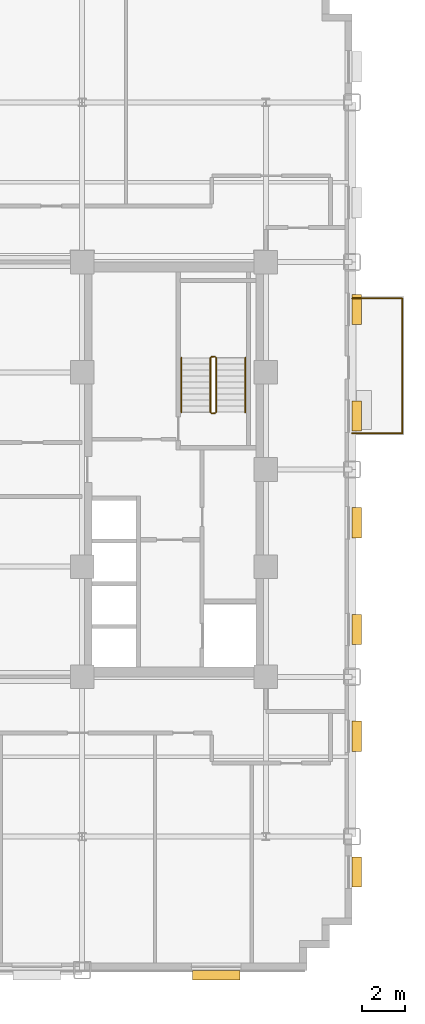
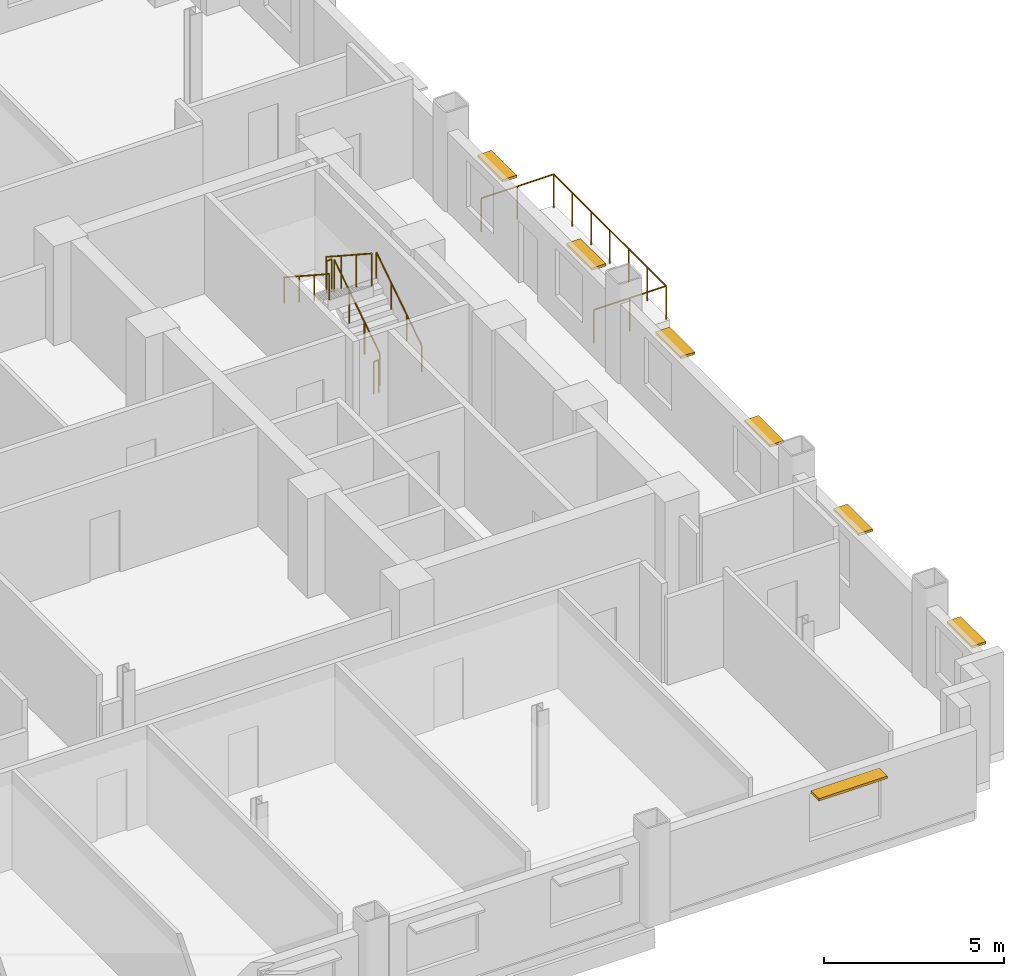
# One storey, part 13 of 14: 7 railings, 7 shading devices.
"""IFC4 building model written with IfcOpenShell, lengths in metres."""

from ifc_helpers import new_model, si_unit, direction, frame, origin, origin_2d, place, context, subcontext, project, spatial, rectangle, circle, extrude, source, transform, mapped, material, type_object, type_shapes, element, save


model = new_model("IFC4")

# Units and contexts
model_context = context("Model", 3, precision=1e-05, world=origin(), true_north=direction((0.0, 1.0)))
body_context = subcontext(model_context, "Body", "Model", "MODEL_VIEW")
ifc_project = project(units=[si_unit("LENGTHUNIT", "METRE"), si_unit("AREAUNIT", "SQUARE_METRE"), si_unit("VOLUMEUNIT", "CUBIC_METRE"), si_unit("PLANEANGLEUNIT", "RADIAN"), si_unit("MASSUNIT", "GRAM", prefix="KILO")], contexts=[model_context])

# Site, building, storey
site_placement = place(None, origin())
site = spatial("IfcSite", under=ifc_project, at=site_placement, CompositionType="ELEMENT")
building_placement = place(site_placement, origin())
building = spatial("IfcBuilding", under=site, at=building_placement, Name="Nuvemarco Arch Tower", CompositionType="ELEMENT")
storey_placement = place(building_placement, frame((0.0, 0.0, 71.39990234375)))
storey = spatial("IfcBuildingStorey", under=building, at=storey_placement, Name="L18", CompositionType="ELEMENT", Elevation=71.39990234375)

# Railings
ifc_material_1 = material(Name="Brushed stainless steel handrail", Category="steel")
railing_type_1 = type_object("IfcRailingType", Name="RL-HANDRAIL-900", PredefinedType="HANDRAIL", material=ifc_material_1)
railing_1_placement = place(storey_placement, frame((16.550048828125, 2.64990234375, 0.1826171875)))
element("IfcRailing", 1, at=railing_1_placement, inside=storey, type_object=railing_type_1, Name="L18 ST-2 stair handrail 1", PredefinedType="HANDRAIL", context=body_context, shape_type="SweptSolid", body=[
    extrude(circle(Radius=0.02392578125, at=origin_2d()), frame((0.0, 0.0, 0.8759765625), z_axis=(0.0, 0.837749427056, 0.546054848405), x_axis=(-1.0, 0.0, 0.0)), (0.0, 0.0, 1.0), 3.008056640625),
    extrude(circle(Radius=0.02099609375, at=origin_2d()), origin(), (0.0, 0.0, 1.0), 0.851806640625),
    extrude(circle(Radius=0.02099609375, at=origin_2d()), frame((0.0, 0.840087890625, 0.547607421875)), (0.0, 0.0, 1.0), 0.851806640625),
    extrude(circle(Radius=0.02099609375, at=origin_2d()), frame((0.0, 1.679931640625, 1.094970703125)), (0.0, 0.0, 1.0), 0.851806640625),
    extrude(circle(Radius=0.02099609375, at=origin_2d()), frame((0.0, 2.52001953125, 1.642578125)), (0.0, 0.0, 1.0), 0.851806640625),
])
railing_2_placement = place(storey_placement, frame((13.590087890625, 5.169921875, 2.007568359375)))
element("IfcRailing", 2, at=railing_2_placement, inside=storey, type_object=railing_type_1, Name="L18 ST-2 stair handrail 2", PredefinedType="HANDRAIL", context=body_context, shape_type="SweptSolid", body=[
    extrude(circle(Radius=0.02392578125, at=origin_2d()), frame((0.0, 0.0, 0.8759765625), z_axis=(0.0, -0.837749427056, 0.546054848405), x_axis=(1.0, 0.0, 0.0)), (0.0, 0.0, 1.0), 3.008056640625),
    extrude(circle(Radius=0.02099609375, at=origin_2d()), origin(), (0.0, 0.0, 1.0), 0.851806640625),
    extrude(circle(Radius=0.02099609375, at=origin_2d()), frame((0.0, -0.840087890625, 0.547607421875)), (0.0, 0.0, 1.0), 0.851806640625),
    extrude(circle(Radius=0.02099609375, at=origin_2d()), frame((0.0, -1.679931640625, 1.094970703125)), (0.0, 0.0, 1.0), 0.851806640625),
    extrude(circle(Radius=0.02099609375, at=origin_2d()), frame((0.0, -2.52001953125, 1.642578125)), (0.0, 0.0, 1.0), 0.851806640625),
])
ifc_material_2 = material(Name="Painted balustrade steel S355", Category="steel")
railing_type_2 = type_object("IfcRailingType", Name="RL-STAIR-GUARD", PredefinedType="GUARDRAIL", material=ifc_material_2)
railing_3_placement = place(storey_placement, frame((15.199951171875, 2.64990234375, 0.1826171875)))
element("IfcRailing", 3, at=railing_3_placement, inside=storey, type_object=railing_type_2, Name="L18 ST-2 stair guard 1", PredefinedType="GUARDRAIL", context=body_context, shape_type="SweptSolid", body=[
    extrude(circle(Radius=0.02392578125, at=origin_2d()), frame((0.0, 0.0, 1.09619140625), z_axis=(0.0, 0.837749427056, 0.546054848405), x_axis=(-1.0, 0.0, 0.0)), (0.0, 0.0, 1.0), 3.008056640625),
    extrude(circle(Radius=0.02099609375, at=origin_2d()), origin(), (0.0, 0.0, 1.0), 1.072021484375),
    extrude(circle(Radius=0.02099609375, at=origin_2d()), frame((0.0, 0.840087890625, 0.547607421875)), (0.0, 0.0, 1.0), 1.072021484375),
    extrude(circle(Radius=0.02099609375, at=origin_2d()), frame((0.0, 1.679931640625, 1.094970703125)), (0.0, 0.0, 1.0), 1.072021484375),
    extrude(circle(Radius=0.02099609375, at=origin_2d()), frame((0.0, 2.52001953125, 1.642578125)), (0.0, 0.0, 1.0), 1.072021484375),
])
railing_4_placement = place(storey_placement, frame((15.14990234375, 5.219970703125, 1.8251953125)))
element("IfcRailing", 4, at=railing_4_placement, inside=storey, type_object=railing_type_2, Name="L18 ST-2 stair guard 2", PredefinedType="GUARDRAIL", context=body_context, shape_type="SweptSolid", body=[
    extrude(circle(Radius=0.02392578125, at=origin_2d()), frame((0.0, 0.0, 1.09619140625), z_axis=(-1.0, 0.0, 0.0), x_axis=(0.0, -1.0, 0.0)), (0.0, 0.0, 1.0), 0.159912109375),
    extrude(circle(Radius=0.02099609375, at=origin_2d()), origin(), (0.0, 0.0, 1.0), 1.072021484375),
    extrude(circle(Radius=0.02099609375, at=origin_2d()), frame((-0.159912109375, 0.0, 0.0)), (0.0, 0.0, 1.0), 1.072021484375),
])
railing_5_placement = place(storey_placement, frame((14.93994140625, 5.169921875, 2.007568359375)))
element("IfcRailing", 5, at=railing_5_placement, inside=storey, type_object=railing_type_2, Name="L18 ST-2 stair guard 3", PredefinedType="GUARDRAIL", context=body_context, shape_type="SweptSolid", body=[
    extrude(circle(Radius=0.02392578125, at=origin_2d()), frame((0.0, 0.0, 1.09619140625), z_axis=(0.0, -0.837749427056, 0.546054848405), x_axis=(1.0, 0.0, 0.0)), (0.0, 0.0, 1.0), 3.008056640625),
    extrude(circle(Radius=0.02099609375, at=origin_2d()), origin(), (0.0, 0.0, 1.0), 1.072021484375),
    extrude(circle(Radius=0.02099609375, at=origin_2d()), frame((0.0, -0.840087890625, 0.547607421875)), (0.0, 0.0, 1.0), 1.072021484375),
    extrude(circle(Radius=0.02099609375, at=origin_2d()), frame((0.0, -1.679931640625, 1.094970703125)), (0.0, 0.0, 1.0), 1.072021484375),
    extrude(circle(Radius=0.02099609375, at=origin_2d()), frame((0.0, -2.52001953125, 1.642578125)), (0.0, 0.0, 1.0), 1.072021484375),
])
railing_6_placement = place(storey_placement, frame((15.14990234375, 2.60009765625, 0.0)))
element("IfcRailing", 6, at=railing_6_placement, inside=storey, type_object=railing_type_2, Name="L18 ST-2 stair guard 4", PredefinedType="GUARDRAIL", context=body_context, shape_type="SweptSolid", body=[
    extrude(circle(Radius=0.02392578125, at=origin_2d()), frame((0.0, 0.0, 1.09619140625), z_axis=(-1.0, 0.0, 0.0), x_axis=(0.0, -1.0, 0.0)), (0.0, 0.0, 1.0), 0.159912109375),
    extrude(circle(Radius=0.02099609375, at=origin_2d()), origin(), (0.0, 0.0, 1.0), 1.072021484375),
    extrude(circle(Radius=0.02099609375, at=origin_2d()), frame((-0.159912109375, 0.0, 0.0)), (0.0, 0.0, 1.0), 1.072021484375),
])
ifc_material_3 = material(Name="Dark anodised balustrade steel S355", Category="steel")
railing_type_3 = type_object("IfcRailingType", Name="RL-TERR-GUARD", PredefinedType="BALUSTRADE", material=ifc_material_3)
railing_7_placement = place(storey_placement, frame((21.5, 1.679931640625, 0.0)))
element("IfcRailing", 7, at=railing_7_placement, inside=storey, type_object=railing_type_3, Name="L18 spiral terrace perimeter balustrade guard", PredefinedType="BALUSTRADE", context=body_context, shape_type="SweptSolid", body=[
    extrude(circle(Radius=0.02392578125, at=origin_2d()), frame((0.0, 0.0, 1.1259765625), z_axis=(1.0, 0.0, 0.0), x_axis=(0.0, 1.0, 0.0)), (0.0, 0.0, 1.0), 2.320068359375),
    extrude(circle(Radius=0.02392578125, at=origin_2d()), frame((2.320068359375, 0.0, 1.1259765625), z_axis=(0.0, 1.0, 0.0), x_axis=(-1.0, 0.0, 0.0)), (0.0, 0.0, 1.0), 6.239990234375),
    extrude(circle(Radius=0.02392578125, at=origin_2d()), frame((2.320068359375, 6.239990234375, 1.1259765625), z_axis=(-1.0, 0.0, 0.0), x_axis=(0.0, -1.0, 0.0)), (0.0, 0.0, 1.0), 2.320068359375),
    extrude(circle(Radius=0.02099609375, at=origin_2d()), origin(), (0.0, 0.0, 1.0), 1.101806640625),
    extrude(circle(Radius=0.02099609375, at=origin_2d()), frame((1.16015625, 0.0, 0.0)), (0.0, 0.0, 1.0), 1.101806640625),
    extrude(circle(Radius=0.02099609375, at=origin_2d()), frame((2.320068359375, 0.0, 0.0)), (0.0, 0.0, 1.0), 1.101806640625),
    extrude(circle(Radius=0.02099609375, at=origin_2d()), frame((2.320068359375, 1.0400390625, 0.0)), (0.0, 0.0, 1.0), 1.101806640625),
    extrude(circle(Radius=0.02099609375, at=origin_2d()), frame((2.320068359375, 2.080078125, 0.0)), (0.0, 0.0, 1.0), 1.101806640625),
    extrude(circle(Radius=0.02099609375, at=origin_2d()), frame((2.320068359375, 3.1201171875, 0.0)), (0.0, 0.0, 1.0), 1.101806640625),
    extrude(circle(Radius=0.02099609375, at=origin_2d()), frame((2.320068359375, 4.159912109375, 0.0)), (0.0, 0.0, 1.0), 1.101806640625),
    extrude(circle(Radius=0.02099609375, at=origin_2d()), frame((2.320068359375, 5.199951171875, 0.0)), (0.0, 0.0, 1.0), 1.101806640625),
    extrude(circle(Radius=0.02099609375, at=origin_2d()), frame((2.320068359375, 6.239990234375, 0.0)), (0.0, 0.0, 1.0), 1.101806640625),
    extrude(circle(Radius=0.02099609375, at=origin_2d()), frame((1.16015625, 6.239990234375, 0.0)), (0.0, 0.0, 1.0), 1.101806640625),
    extrude(circle(Radius=0.02099609375, at=origin_2d()), frame((0.0, 6.239990234375, 0.0)), (0.0, 0.0, 1.0), 1.101806640625),
])

# Shading devices
ifc_material_4 = material(Name="Anodised aluminium 6063-T6", Category="aluminium")
shading_device_type_1 = type_object("IfcShadingDeviceType", Name="SHD-BRISE-SOLEIL", PredefinedType="USERDEFINED", material=ifc_material_4)
shared_shape_1 = source(origin(), body_context, "Body", "SweptSolid", [
    extrude(rectangle(XDim=2.199951171875, YDim=0.449951171875, at=origin_2d()), origin(), (0.0, 0.0, 1.0), 0.080078125),
])
type_shapes(shading_device_type_1, [shared_shape_1])
shading_device_placement = place(storey_placement, frame((15.199951171875, -23.4150390625, 2.425048828125), z_axis=(0.0, 0.0, 1.0), x_axis=(1.0, 0.0, 0.0)))
element("IfcShadingDevice", 8, at=shading_device_placement, inside=storey, type_object=shading_device_type_1, Name="L18 horizontal brise-soleil sunshade", ObjectType="SUNSHADE", PredefinedType="USERDEFINED", context=body_context, shape_type="MappedRepresentation", body=[
    mapped(shared_shape_1, transform((0.0, 0.0, 0.0), scale=1.0)),
])
shading_device_type_2 = type_object("IfcShadingDeviceType", Name="SHD-BRISE-NARROW", PredefinedType="USERDEFINED", material=ifc_material_4)
shared_shape_2 = source(origin(), body_context, "Body", "SweptSolid", [
    extrude(rectangle(XDim=1.39990234375, YDim=0.449951171875, at=origin_2d()), origin(), (0.0, 0.0, 1.0), 0.080078125),
])
type_shapes(shading_device_type_2, [shared_shape_2])
for number, where, z_axis, x_axis, name in (
    (9, (21.715087890625, -18.6435546875, 2.405029296875), (0.0, 0.0, 1.0), (0.0, 1.0, 0.0), "L18 horizontal brise-soleil sunshade"),
    (10, (21.715087890625, -12.3525390625, 2.405029296875), (0.0, 0.0, 1.0), (0.0, 1.0, 0.0), "L18 horizontal brise-soleil sunshade"),
    (11, (21.715087890625, -7.41162109375, 2.405029296875), (0.0, 0.0, 1.0), (0.0, 1.0, 0.0), "L18 horizontal brise-soleil sunshade"),
    (12, (21.715087890625, -2.470458984375, 2.405029296875), (0.0, 0.0, 1.0), (0.0, 1.0, 0.0), "L18 horizontal brise-soleil sunshade"),
    (13, (21.715087890625, 2.470458984375, 2.405029296875), (0.0, 0.0, 1.0), (0.0, 1.0, 0.0), "L18 horizontal brise-soleil sunshade"),
    (14, (21.715087890625, 7.41162109375, 2.405029296875), (0.0, 0.0, 1.0), (0.0, 1.0, 0.0), "L18 horizontal brise-soleil sunshade"),
):
    element("IfcShadingDevice", number, at=place(storey_placement, frame(where, z_axis=z_axis, x_axis=x_axis)), inside=storey, type_object=shading_device_type_2, Name=name, ObjectType="SUNSHADE", PredefinedType="USERDEFINED", context=body_context, shape_type="MappedRepresentation", body=[
        mapped(shared_shape_2, transform((0.0, 0.0, 0.0), scale=1.0)),
    ])

save(model, "model.ifc")
